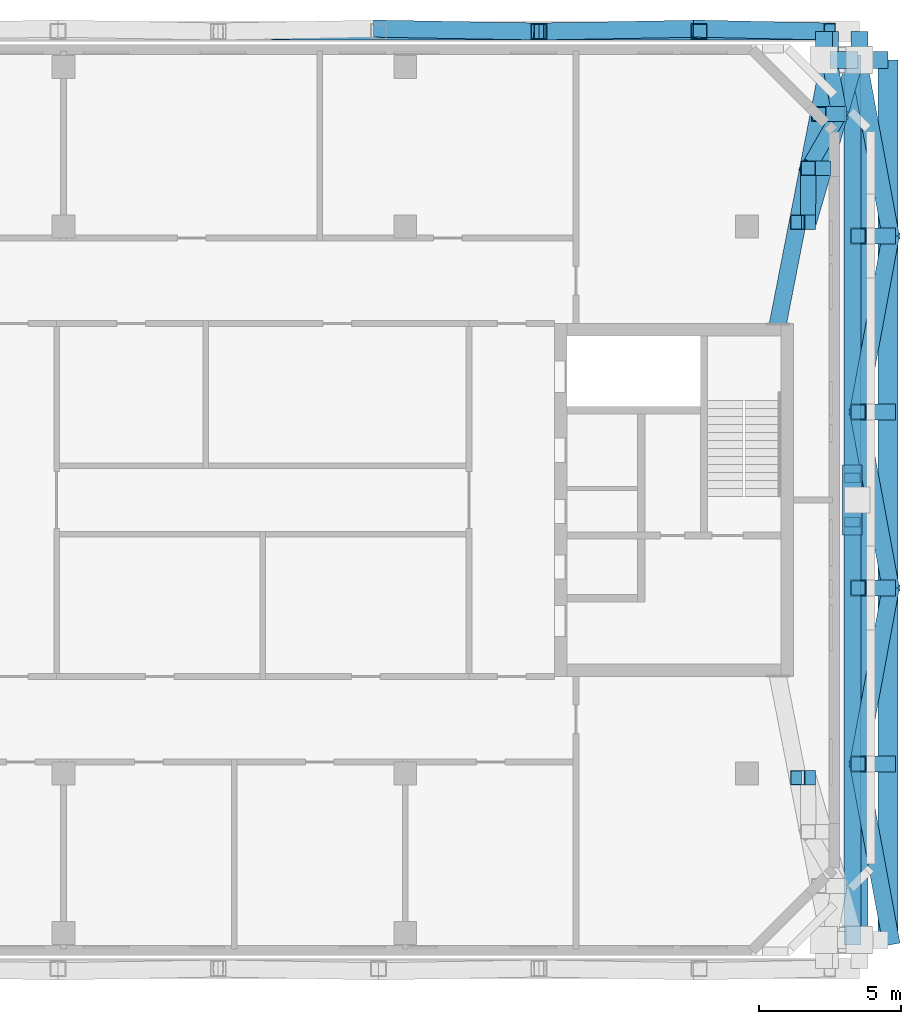
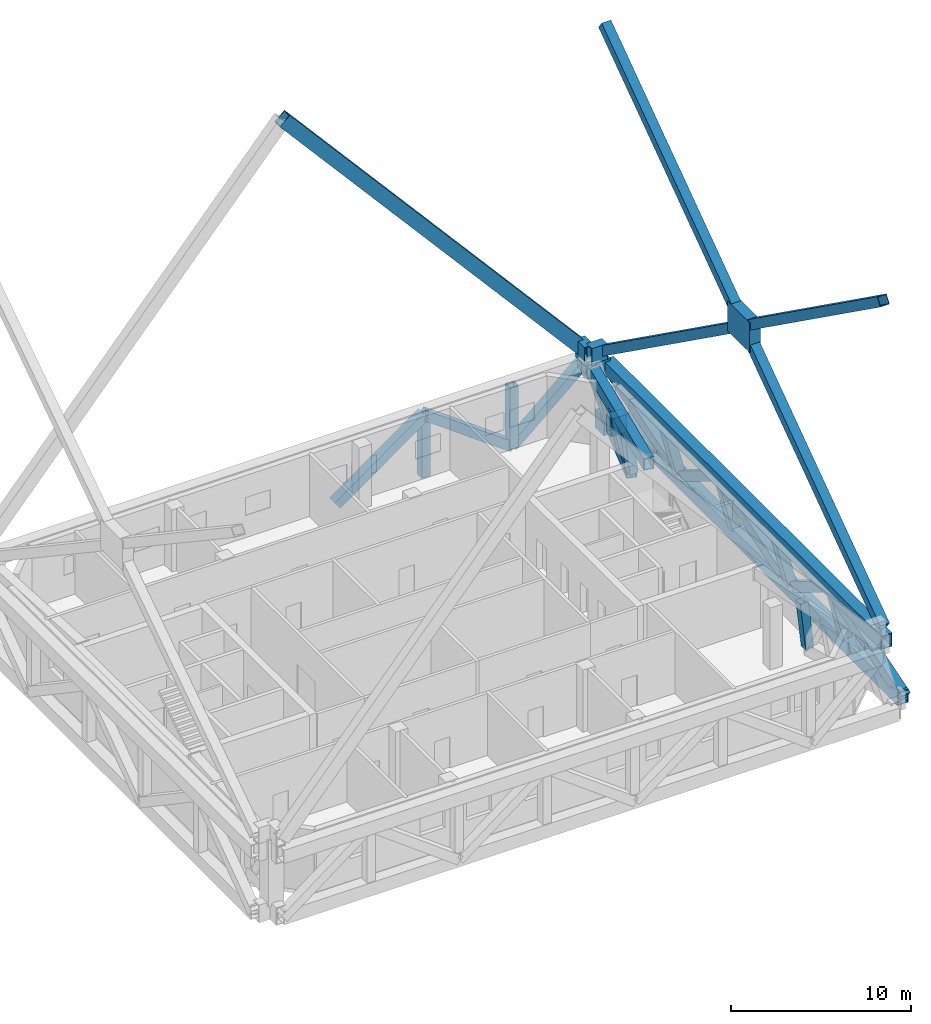
# One storey, part 5 of 20: 27 members, 10 beams.
"""IFC4 building model written with IfcOpenShell, lengths in metres."""

from ifc_helpers import new_model, si_unit, direction, frame, origin, origin_2d, place, context, subcontext, project, spatial, rectangle, hollow_rectangle, extrude, material, material_profile, profile_set, type_object, element, save


model = new_model("IFC4")

# Units and contexts
model_context = context("Model", 3, precision=1e-05, world=origin(), true_north=direction((0.0, 1.0)))
body_context = subcontext(model_context, "Body", "Model", "MODEL_VIEW")
ifc_project = project(units=[si_unit("LENGTHUNIT", "METRE"), si_unit("AREAUNIT", "SQUARE_METRE"), si_unit("VOLUMEUNIT", "CUBIC_METRE"), si_unit("PLANEANGLEUNIT", "RADIAN"), si_unit("MASSUNIT", "GRAM", prefix="KILO")], contexts=[model_context])

# Site, building, storey
site_placement = place(None, origin())
site = spatial("IfcSite", under=ifc_project, at=site_placement, CompositionType="ELEMENT")
building_placement = place(site_placement, origin())
building = spatial("IfcBuilding", under=site, at=building_placement, Name="Tuart Gate Housing", CompositionType="ELEMENT")
storey_placement = place(building_placement, frame((0.0, 0.0, 167.10009765625)))
storey = spatial("IfcBuildingStorey", under=building, at=storey_placement, Name="L47", CompositionType="ELEMENT", Elevation=167.10009765625)

# Beam
ifc_material_1 = material(Name="Steel Grade 350", Category="steel")
ifc_material_profile_1 = material_profile(ifc_material_1, hollow_rectangle(XDim=0.699951171875, YDim=0.89990234375, WallThickness=0.0400390625, at=origin_2d()), Name="BOX 900x700x40")
ifc_profile_set_1 = profile_set([ifc_material_profile_1], Name="Steel Grade 350")
beam_type_1 = type_object("IfcBeamType", Name="Belt truss chord BOX 900x700x40", PredefinedType="BEAM", material=ifc_profile_set_1)
beam_1_placement = place(storey_placement, frame((170.908203125, 54.550048828125, 3.75), z_axis=(0.0, 1.0, 0.0), x_axis=(-1.0, 0.0, 0.0)))
element("IfcBeam", 1, at=beam_1_placement, inside=storey, type_object=beam_type_1, Name="Belt truss top chord B east L47", PredefinedType="BEAM", context=body_context, shape_type="SweptSolid", body=[
    extrude(hollow_rectangle(XDim=0.699951171875, YDim=0.89990234375, WallThickness=0.0400390625, at=origin_2d()), origin(), (0.0, 0.0, 1.0), 30.89990234375),
])

# Members
ifc_material_2 = material(Name="Steel Grade 350", Category="steel")
ifc_material_profile_2 = material_profile(ifc_material_2, hollow_rectangle(XDim=0.60009765625, YDim=0.60009765625, WallThickness=0.031982421875, at=origin_2d()), Name="BOX 600x600x32")
ifc_profile_set_2 = profile_set([ifc_material_profile_2], Name="Steel Grade 350")
member_type_1 = type_object("IfcMemberType", Name="Belt truss diagonal BOX 600x600x32", PredefinedType="BRACE", material=ifc_profile_set_2)
member_1_placement = place(storey_placement, frame((154.064208984375, 86.550048828125, -0.400146484375), z_axis=(0.80478821492, -0.014312000352, 0.593389497524), x_axis=(0.017780749646, 0.999841909975, 0.0)))
element("IfcMember", 2, at=member_1_placement, inside=storey, type_object=member_type_1, Name="Belt truss diagonal B north 4 L47", PredefinedType="BRACE", context=body_context, shape_type="SweptSolid", body=[
    extrude(hollow_rectangle(XDim=0.60009765625, YDim=0.60009765625, WallThickness=0.031982421875, at=origin_2d()), origin(), (0.0, 0.0, 1.0), 6.993896484375),
])
member_2_placement = place(storey_placement, frame((159.69287109375, 86.449951171875, 3.75), z_axis=(0.804775915997, 0.014312402427, -0.593406167955), x_axis=(-0.017781520667, 0.999841896263, 0.0)))
element("IfcMember", 3, at=member_2_placement, inside=storey, type_object=member_type_1, Name="Belt truss diagonal B north 5 L47", PredefinedType="BRACE", context=body_context, shape_type="SweptSolid", body=[
    extrude(hollow_rectangle(XDim=0.60009765625, YDim=0.60009765625, WallThickness=0.031982421875, at=origin_2d()), origin(), (0.0, 0.0, 1.0), 6.99365234375),
])
member_3_placement = place(storey_placement, frame((165.3212890625, 86.550048828125, -0.400146484375), z_axis=(0.741432165839, -0.016179858846, 0.670832732973), x_axis=(0.021817245581, 0.99976197557, 0.0)))
element("IfcMember", 4, at=member_3_placement, inside=storey, type_object=member_type_1, Name="Belt truss diagonal B north 6 L47", PredefinedType="BRACE", context=body_context, shape_type="SweptSolid", body=[
    extrude(hollow_rectangle(XDim=0.60009765625, YDim=0.60009765625, WallThickness=0.031982421875, at=origin_2d()), origin(), (0.0, 0.0, 1.0), 6.1865234375),
])
for number, where, z_axis, x_axis, name in (
    (5, (172.050048828125, 54.550048828125, -0.400146484375), (-0.151615227985, 0.82057649476, 0.551059923139), (-0.983355601449, -0.18169138972, 0.0), "Belt truss diagonal B east 0 L47"),
    (6, (170.908203125, 60.72998046875, 3.75), (0.151615227985, 0.82057649476, -0.551059923139), (-0.983355601449, 0.18169138972, 0.0), "Belt truss diagonal B east 1 L47"),
):
    element("IfcMember", number, at=place(storey_placement, frame(where, z_axis=z_axis, x_axis=x_axis)), inside=storey, type_object=member_type_1, Name=name, PredefinedType="BRACE", context=body_context, shape_type="SweptSolid", body=[
        extrude(hollow_rectangle(XDim=0.60009765625, YDim=0.60009765625, WallThickness=0.031982421875, at=origin_2d()), origin(), (0.0, 0.0, 1.0), 7.53125),
    ])
member_4_placement = place(storey_placement, frame((172.050048828125, 66.909912109375, -0.400146484375), z_axis=(-0.151611194982, 0.820587083551, 0.551045264806), x_axis=(-0.983356883812, -0.181684449142, 0.0)))
element("IfcMember", 7, at=member_4_placement, inside=storey, type_object=member_type_1, Name="Belt truss diagonal B east 2 L47", PredefinedType="BRACE", context=body_context, shape_type="SweptSolid", body=[
    extrude(hollow_rectangle(XDim=0.60009765625, YDim=0.60009765625, WallThickness=0.031982421875, at=origin_2d()), origin(), (0.0, 0.0, 1.0), 7.531494140625),
])
for number, where, z_axis, x_axis, name in (
    (8, (170.908203125, 73.090087890625, 3.75), (0.151615227985, 0.82057649476, -0.551059923139), (-0.983355601449, 0.18169138972, 0.0), "Belt truss diagonal B east 3 L47"),
    (9, (172.050048828125, 79.27001953125, -0.400146484375), (-0.151615227985, 0.82057649476, 0.551059923139), (-0.983355601449, -0.18169138972, 0.0), "Belt truss diagonal B east 4 L47"),
):
    element("IfcMember", number, at=place(storey_placement, frame(where, z_axis=z_axis, x_axis=x_axis)), inside=storey, type_object=member_type_1, Name=name, PredefinedType="BRACE", context=body_context, shape_type="SweptSolid", body=[
        extrude(hollow_rectangle(XDim=0.60009765625, YDim=0.60009765625, WallThickness=0.031982421875, at=origin_2d()), origin(), (0.0, 0.0, 1.0), 7.53125),
    ])
ifc_material_3 = material(Name="Steel Grade 350", Category="steel")
ifc_material_profile_3 = material_profile(ifc_material_3, hollow_rectangle(XDim=0.56005859375, YDim=0.56005859375, WallThickness=0.030029296875, at=origin_2d()), Name="BOX 560x560x30")
ifc_profile_set_3 = profile_set([ifc_material_profile_3], Name="Steel Grade 350")
member_type_2 = type_object("IfcMemberType", Name="Belt truss post BOX 560x560x30", PredefinedType="POST", material=ifc_profile_set_3)
for number, where, z_axis, x_axis, name in (
    (10, (159.69287109375, 86.449951171875, -0.400146484375), (0.0, 0.0, 1.0), (1.0, 0.0, 0.0), "Belt truss post B north 5 L47"),
    (11, (165.3212890625, 86.449951171875, -0.400146484375), (0.0, 0.0, 1.0), (1.0, 0.0, 0.0), "Belt truss post B north 6 L47"),
):
    element("IfcMember", number, at=place(storey_placement, frame(where, z_axis=z_axis, x_axis=x_axis)), inside=storey, type_object=member_type_2, Name=name, PredefinedType="POST", context=body_context, shape_type="SweptSolid", body=[
        extrude(hollow_rectangle(XDim=0.56005859375, YDim=0.56005859375, WallThickness=0.030029296875, at=origin_2d()), origin(), (0.0, 0.0, 1.0), 4.150146484375),
    ])
for number, where, z_axis, x_axis, name in (
    (12, (171.949951171875, 60.72998046875, -0.400146484375), (-0.243461850246, 0.0, 0.969910473948), (0.0, -1.0, 0.0), "Belt truss post B east 1 L47"),
    (13, (171.949951171875, 66.909912109375, -0.400146484375), (-0.243461850246, 0.0, 0.969910473948), (0.0, -1.0, 0.0), "Belt truss post B east 2 L47"),
    (14, (171.949951171875, 73.090087890625, -0.400146484375), (-0.243461850246, 0.0, 0.969910473948), (0.0, -1.0, 0.0), "Belt truss post B east 3 L47"),
    (15, (171.949951171875, 79.27001953125, -0.400146484375), (-0.243461850246, 0.0, 0.969910473948), (0.0, -1.0, 0.0), "Belt truss post B east 4 L47"),
):
    element("IfcMember", number, at=place(storey_placement, frame(where, z_axis=z_axis, x_axis=x_axis)), inside=storey, type_object=member_type_2, Name=name, PredefinedType="POST", context=body_context, shape_type="SweptSolid", body=[
        extrude(hollow_rectangle(XDim=0.56005859375, YDim=0.56005859375, WallThickness=0.030029296875, at=origin_2d()), origin(), (0.0, 0.0, 1.0), 4.27880859375),
    ])
ifc_material_4 = material(Name="Steel Grade 350", Category="steel")
ifc_material_profile_4 = material_profile(ifc_material_4, rectangle(XDim=2.446044921875, YDim=2.0048828125, at=origin_2d()), Name="Brace node plate 2446 x 2005")
ifc_profile_set_4 = profile_set([ifc_material_profile_4], Name="Steel Grade 350")
member_type_3 = type_object("IfcMemberType", Name="Brace node plate 2446 x 2005", PredefinedType="PLATE", material=ifc_profile_set_4)
member_5_placement = place(storey_placement, frame((170.35498046875, 70.0, 15.85986328125), z_axis=(1.0, 0.0, 0.0), x_axis=(0.0, 1.0, 0.0)))
element("IfcMember", 16, at=member_5_placement, inside=storey, type_object=member_type_3, Name="Brace node B zone 7 east", PredefinedType="PLATE", context=body_context, shape_type="SweptSolid", body=[
    extrude(rectangle(XDim=2.446044921875, YDim=2.0048828125, at=origin_2d()), origin(), (0.0, 0.0, 1.0), 0.68994140625),
])

# Beams
ifc_material_5 = material(Name="Steel Grade 350", Category="steel")
ifc_material_profile_5 = material_profile(ifc_material_5, hollow_rectangle(XDim=0.60009765625, YDim=1.199951171875, WallThickness=0.0400390625, at=origin_2d()), Name="BOX 1200x600x40")
ifc_profile_set_5 = profile_set([ifc_material_profile_5], Name="Steel Grade 350")
beam_type_2 = type_object("IfcBeamType", Name="Brace shoe BOX 1200x600x40", PredefinedType="BEAM", material=ifc_profile_set_5)
for number, where, z_axis, x_axis, name in (
    (17, (170.949951171875, 85.449951171875, -0.400146484375), (0.0, 1.0, 0.0), (-1.0, 0.0, 0.0), "Mega tie beam B node 6 north shoe 1 L47"),
    (18, (170.949951171875, 85.449951171875, -0.400146484375), (1.0, 0.0, 0.0), (0.0, 1.0, 0.0), "Mega tie beam B node 6 east shoe 1 L47"),
    (19, (169.699951171875, 85.449951171875, 4.81982421875), (0.0, 1.0, 0.0), (-1.0, 0.0, 0.0), "Mega brace shoe B zone 7 north chevron 2"),
    (20, (169.699951171875, 85.449951171875, 4.81982421875), (1.0, 0.0, 0.0), (0.0, 1.0, 0.0), "Mega brace shoe B zone 7 east cross 2"),
    (21, (169.908203125, 85.449951171875, 3.75), (0.0, 1.0, 0.0), (-1.0, 0.0, 0.0), "Belt truss top chord B north shoe 1 L47"),
    (22, (169.908203125, 85.449951171875, 3.75), (1.0, 0.0, 0.0), (0.0, 1.0, 0.0), "Belt truss top chord B east shoe 1 L47"),
):
    element("IfcBeam", number, at=place(storey_placement, frame(where, z_axis=z_axis, x_axis=x_axis)), inside=storey, type_object=beam_type_2, Name=name, PredefinedType="BEAM", context=body_context, shape_type="SweptSolid", body=[
        extrude(hollow_rectangle(XDim=0.60009765625, YDim=1.199951171875, WallThickness=0.0400390625, at=origin_2d()), origin(), (0.0, 0.0, 1.0), 1.0),
    ])

# Members
ifc_material_6 = material(Name="Steel Grade 350", Category="steel")
ifc_material_profile_6 = material_profile(ifc_material_6, hollow_rectangle(XDim=0.60009765625, YDim=0.60009765625, WallThickness=0.030029296875, at=origin_2d()), Name="BOX 600x600x30")
ifc_profile_set_6 = profile_set([ifc_material_profile_6], Name="Steel Grade 350")
member_type_4 = type_object("IfcMemberType", Name="Mega brace BOX 600x600x30", PredefinedType="BRACE", material=ifc_profile_set_6)
for number, where, z_axis, x_axis, name in (
    (23, (170.699951171875, 54.550048828125, 4.81982421875), (0.0, 0.813622806958, 0.581393092492), (-1.0, 0.0, 0.0), "Mega brace B zone 7 east cross 1 a"),
    (24, (170.699951171875, 70.77294921875, 16.412109375), (0.0, 0.813622806958, 0.581393092492), (-1.0, 0.0, 0.0), "Mega brace B zone 7 east cross 1 b"),
    (25, (170.699951171875, 85.449951171875, 4.81982421875), (0.0, -0.813622806958, 0.581393092492), (1.0, 0.0, 0.0), "Mega brace B zone 7 east cross 2 a"),
    (26, (170.699951171875, 69.22705078125, 16.412109375), (0.0, -0.813622806958, 0.581393092492), (1.0, 0.0, 0.0), "Mega brace B zone 7 east cross 2 b"),
):
    element("IfcMember", number, at=place(storey_placement, frame(where, z_axis=z_axis, x_axis=x_axis)), inside=storey, type_object=member_type_4, Name=name, PredefinedType="BRACE", context=body_context, shape_type="SweptSolid", body=[
        extrude(hollow_rectangle(XDim=0.60009765625, YDim=0.60009765625, WallThickness=0.030029296875, at=origin_2d()), origin(), (0.0, 0.0, 1.0), 18.0390625),
    ])
ifc_material_7 = material(Name="Steel Grade 350", Category="steel")
ifc_material_profile_7 = material_profile(ifc_material_7, hollow_rectangle(XDim=0.60009765625, YDim=0.85009765625, WallThickness=0.0419921875, at=origin_2d()), Name="BOX 850x600x42")
ifc_profile_set_7 = profile_set([ifc_material_profile_7], Name="Steel Grade 350")
member_type_5 = type_object("IfcMemberType", Name="Mega brace BOX 850x600x42", PredefinedType="BRACE", material=ifc_profile_set_7)
member_6_placement = place(storey_placement, frame((169.699951171875, 86.449951171875, 4.81982421875), z_axis=(-0.653733576954, 0.0, 0.756724791693), x_axis=(0.0, -1.0, 0.0)))
element("IfcMember", 27, at=member_6_placement, inside=storey, type_object=member_type_5, Name="Mega brace B zone 7 north chevron 2", PredefinedType="BRACE", context=body_context, shape_type="SweptSolid", body=[
    extrude(hollow_rectangle(XDim=0.60009765625, YDim=0.85009765625, WallThickness=0.0419921875, at=origin_2d()), origin(), (0.0, 0.0, 1.0), 29.178466796875),
])

# Beams
ifc_material_8 = material(Name="Steel Grade 350", Category="steel")
ifc_material_profile_8 = material_profile(ifc_material_8, hollow_rectangle(XDim=0.60009765625, YDim=0.800048828125, WallThickness=0.0400390625, at=origin_2d()), Name="BOX 800x600x40")
ifc_profile_set_8 = profile_set([ifc_material_profile_8], Name="Steel Grade 350")
beam_type_3 = type_object("IfcBeamType", Name="Outrigger chord BOX 800x600x40", PredefinedType="BEAM", material=ifc_profile_set_8)
beam_2_placement = place(storey_placement, frame((169.142822265625, 79.75, 0.5498046875), z_axis=(0.278728200939, 0.960370027646, 0.0), x_axis=(-0.960370027646, 0.278728200939, 0.0)))
element("IfcBeam", 28, at=beam_2_placement, inside=storey, type_object=beam_type_3, Name="Outrigger bottom chord BK north 0 L47", PredefinedType="BEAM", context=body_context, shape_type="SweptSolid", body=[
    extrude(hollow_rectangle(XDim=0.60009765625, YDim=0.800048828125, WallThickness=0.0400390625, at=origin_2d()), origin(), (0.0, 0.0, 1.0), 5.93505859375),
])
ifc_material_9 = material(Name="Steel Grade 350", Category="steel")
ifc_material_profile_9 = material_profile(ifc_material_9, hollow_rectangle(XDim=0.60009765625, YDim=0.800048828125, WallThickness=0.0400390625, at=origin_2d()), Name="BOX 800x600x40")
ifc_profile_set_9 = profile_set([ifc_material_profile_9], Name="Steel Grade 350")
beam_type_4 = type_object("IfcBeamType", Name="Outrigger chord BOX 800x600x40 (8.2-10.5 m)", PredefinedType="BEAM", material=ifc_profile_set_9)
beam_3_placement = place(storey_placement, frame((168.0400390625, 75.949951171875, 3.7998046875), z_axis=(0.19156902976, 0.981479142334, 0.0), x_axis=(-0.981479142334, 0.19156902976, 0.0)))
element("IfcBeam", 29, at=beam_3_placement, inside=storey, type_object=beam_type_4, Name="Outrigger top chord BK north L47", PredefinedType="BEAM", context=body_context, shape_type="SweptSolid", body=[
    extrude(hollow_rectangle(XDim=0.60009765625, YDim=0.800048828125, WallThickness=0.0400390625, at=origin_2d()), origin(), (0.0, 0.0, 1.0), 9.67919921875),
])

# Members
ifc_material_10 = material(Name="Steel Grade 350", Category="steel")
ifc_material_profile_10 = material_profile(ifc_material_10, hollow_rectangle(XDim=0.5400390625, YDim=0.5400390625, WallThickness=0.030029296875, at=origin_2d()), Name="BOX 540x540x30")
ifc_profile_set_10 = profile_set([ifc_material_profile_10], Name="Steel Grade 350")
member_type_6 = type_object("IfcMemberType", Name="Outrigger diagonal BOX 540x540x30", PredefinedType="BRACE", material=ifc_profile_set_10)
member_7_placement = place(storey_placement, frame((169.142822265625, 79.75, 0.5498046875), z_axis=(0.002594066081, 0.504675556014, 0.863305191681), x_axis=(-0.999986790118, 0.005139998921, 0.0)))
element("IfcMember", 30, at=member_7_placement, inside=storey, type_object=member_type_6, Name="Outrigger diagonal BK north 2 L47", PredefinedType="BRACE", context=body_context, shape_type="SweptSolid", body=[
    extrude(hollow_rectangle(XDim=0.5400390625, YDim=0.5400390625, WallThickness=0.030029296875, at=origin_2d()), origin(), (0.0, 0.0, 1.0), 3.7646484375),
])
member_8_placement = place(storey_placement, frame((169.152587890625, 81.64990234375, 3.7998046875), z_axis=(0.278876256112, 0.484701630487, -0.82903097842), x_axis=(-0.866772725184, 0.498703361605, 0.0)))
element("IfcMember", 31, at=member_8_placement, inside=storey, type_object=member_type_6, Name="Outrigger diagonal BK north 3 L47", PredefinedType="BRACE", context=body_context, shape_type="SweptSolid", body=[
    extrude(hollow_rectangle(XDim=0.5400390625, YDim=0.5400390625, WallThickness=0.030029296875, at=origin_2d()), origin(), (0.0, 0.0, 1.0), 3.920166015625),
])
member_9_placement = place(storey_placement, frame((170.245849609375, 83.550048828125, 0.5498046875), z_axis=(-0.092982121276, 0.502490880393, 0.859568054458), x_axis=(-0.983307132871, -0.181953517262, 0.0)))
element("IfcMember", 32, at=member_9_placement, inside=storey, type_object=member_type_6, Name="Outrigger diagonal BK north 4 L47", PredefinedType="BRACE", context=body_context, shape_type="SweptSolid", body=[
    extrude(hollow_rectangle(XDim=0.5400390625, YDim=0.5400390625, WallThickness=0.030029296875, at=origin_2d()), origin(), (0.0, 0.0, 1.0), 3.781005859375),
])
ifc_material_11 = material(Name="Steel Grade 350", Category="steel")
ifc_material_profile_11 = material_profile(ifc_material_11, hollow_rectangle(XDim=0.52001953125, YDim=0.52001953125, WallThickness=0.028076171875, at=origin_2d()), Name="BOX 520x520x28")
ifc_profile_set_11 = profile_set([ifc_material_profile_11], Name="Steel Grade 350")
member_type_7 = type_object("IfcMemberType", Name="Outrigger post BOX 520x520x28", PredefinedType="POST", material=ifc_profile_set_11)
for number, where, z_axis, x_axis, name in (
    (33, (169.142822265625, 60.25, 0.5498046875), (-0.110423331592, 0.0, 0.993884645137), (0.0, -1.0, 0.0), "Outrigger post BK south 2 L47"),
    (34, (169.142822265625, 79.75, 0.5498046875), (-0.110423331592, 0.0, 0.993884645137), (0.0, -1.0, 0.0), "Outrigger post BK north 2 L47"),
):
    element("IfcMember", number, at=place(storey_placement, frame(where, z_axis=z_axis, x_axis=x_axis)), inside=storey, type_object=member_type_7, Name=name, PredefinedType="POST", context=body_context, shape_type="SweptSolid", body=[
        extrude(hollow_rectangle(XDim=0.52001953125, YDim=0.52001953125, WallThickness=0.028076171875, at=origin_2d()), origin(), (0.0, 0.0, 1.0), 3.27001953125),
    ])
member_10_placement = place(storey_placement, frame((169.6943359375, 81.64990234375, 0.5498046875), z_axis=(-0.164423018976, 0.0, 0.986389918253), x_axis=(0.0, -1.0, 0.0)))
element("IfcMember", 35, at=member_10_placement, inside=storey, type_object=member_type_7, Name="Outrigger post BK north 3 L47", PredefinedType="POST", context=body_context, shape_type="SweptSolid", body=[
    extrude(hollow_rectangle(XDim=0.52001953125, YDim=0.52001953125, WallThickness=0.028076171875, at=origin_2d()), origin(), (0.0, 0.0, 1.0), 3.294921875),
])
member_11_placement = place(storey_placement, frame((170.245849609375, 83.550048828125, 0.5498046875), z_axis=(-0.216984808288, 0.0, 0.976174980714), x_axis=(0.0, -1.0, 0.0)))
element("IfcMember", 36, at=member_11_placement, inside=storey, type_object=member_type_7, Name="Outrigger post BK north 4 L47", PredefinedType="POST", context=body_context, shape_type="SweptSolid", body=[
    extrude(hollow_rectangle(XDim=0.52001953125, YDim=0.52001953125, WallThickness=0.028076171875, at=origin_2d()), origin(), (0.0, 0.0, 1.0), 3.329345703125),
])

# Beam
ifc_material_12 = material(Name="Steel Grade 350", Category="steel")
ifc_material_profile_12 = material_profile(ifc_material_12, hollow_rectangle(XDim=0.699951171875, YDim=0.89990234375, WallThickness=0.0400390625, at=origin_2d()), Name="BOX 900x700x40")
ifc_profile_set_12 = profile_set([ifc_material_profile_12], Name="Steel Grade 350")
beam_type_5 = type_object("IfcBeamType", Name="Tie beam BOX 900x700x40", PredefinedType="BEAM", material=ifc_profile_set_12)
beam_4_placement = place(storey_placement, frame((171.949951171875, 54.550048828125, -0.400146484375), z_axis=(0.0, 1.0, 0.0), x_axis=(-1.0, 0.0, 0.0)))
element("IfcBeam", 37, at=beam_4_placement, inside=storey, type_object=beam_type_5, Name="Mega tie beam B node 6 east L47", PredefinedType="BEAM", context=body_context, shape_type="SweptSolid", body=[
    extrude(hollow_rectangle(XDim=0.699951171875, YDim=0.89990234375, WallThickness=0.0400390625, at=origin_2d()), origin(), (0.0, 0.0, 1.0), 30.89990234375),
])

save(model, "model.ifc")
